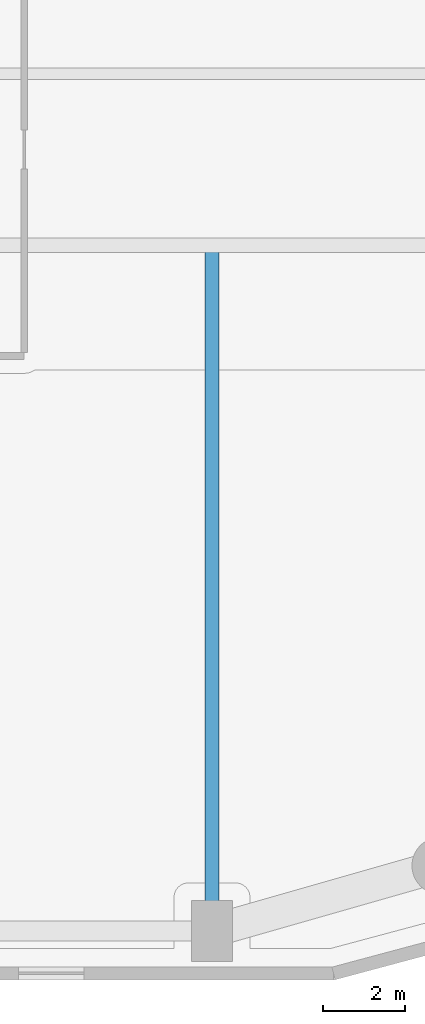
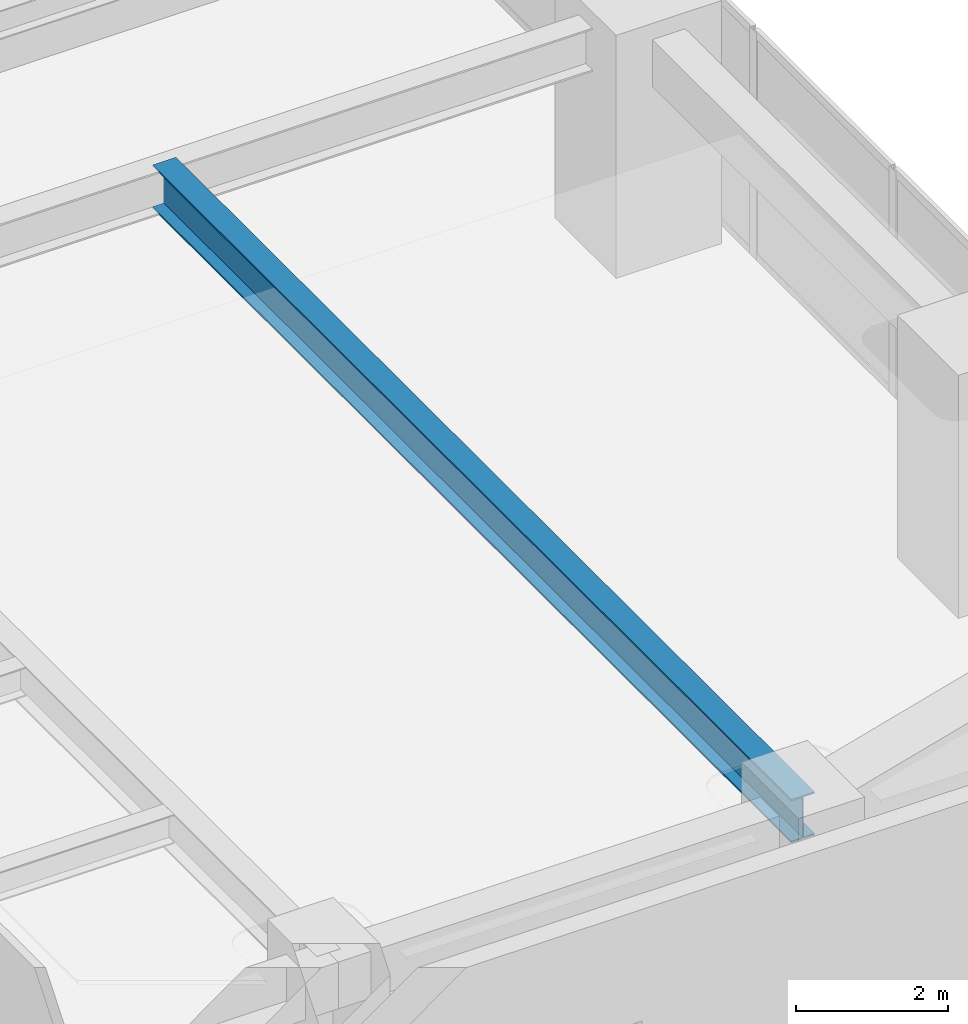
# One storey, part 5 of 29: 1 beam.
"""IFC4 building model written with IfcOpenShell, lengths in metres."""

from ifc_helpers import new_model, si_unit, direction, frame, origin, origin_2d, place, context, subcontext, project, spatial, i_section, extrude, material, material_profile, profile_set, type_object, element, save


model = new_model("IFC4")

# Units and contexts
model_context = context("Model", 3, precision=1e-05, world=origin(), true_north=direction((0.0, 1.0)))
body_context = subcontext(model_context, "Body", "Model", "MODEL_VIEW")
ifc_project = project(units=[si_unit("LENGTHUNIT", "METRE"), si_unit("AREAUNIT", "SQUARE_METRE"), si_unit("VOLUMEUNIT", "CUBIC_METRE"), si_unit("PLANEANGLEUNIT", "RADIAN"), si_unit("MASSUNIT", "GRAM", prefix="KILO")], contexts=[model_context])

# Site, building, storey
site_placement = place(None, origin())
site = spatial("IfcSite", under=ifc_project, at=site_placement, CompositionType="ELEMENT")
building_placement = place(site_placement, origin())
building = spatial("IfcBuilding", under=site, at=building_placement, Name="Kiyonajd Concourse Tower", CompositionType="ELEMENT")
storey_placement = place(building_placement, frame((0.0, 0.0, 45.0)))
storey = spatial("IfcBuildingStorey", under=building, at=storey_placement, Name="L12", CompositionType="ELEMENT", Elevation=45.0)

# Beam
ifc_material = material(Name="Steel ASTM A992 Grade 50", Category="steel")
ifc_material_profile = material_profile(ifc_material, i_section(OverallWidth=0.35498046875, OverallDepth=0.695068359375, WebThickness=0.015380859375, FlangeThickness=0.02490234375, at=origin_2d()), Name="W690X217")
ifc_profile_set = profile_set([ifc_material_profile], Name="Steel ASTM A992 Grade 50")
beam_type = type_object("IfcBeamType", Name="BM-TWR-690", PredefinedType="BEAM", material=ifc_profile_set)
beam_placement = place(storey_placement, frame((70.800048828125, 10.800048828125, 3.29248046875), z_axis=(0.0, 1.0, 0.0), x_axis=(-1.0, 0.0, 0.0)))
element("IfcBeam", 1, at=beam_placement, inside=storey, type_object=beam_type, Name="L12 South Lease Girder", PredefinedType="BEAM", context=body_context, shape_type="SweptSolid", body=[
    extrude(i_section(OverallWidth=0.35498046875, OverallDepth=0.695068359375, WebThickness=0.015380859375, FlangeThickness=0.02490234375, at=origin_2d()), origin(), (0.0, 0.0, 1.0), 16.800048828125),
])

save(model, "model.ifc")
